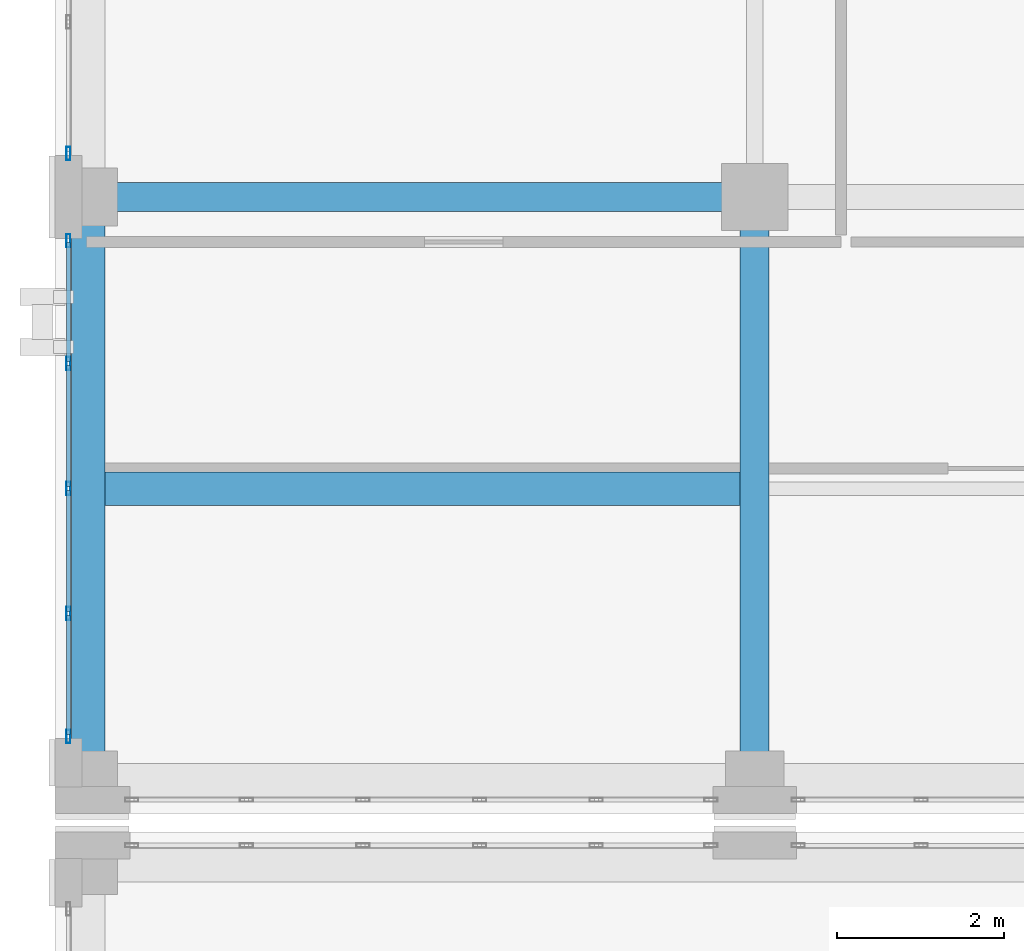
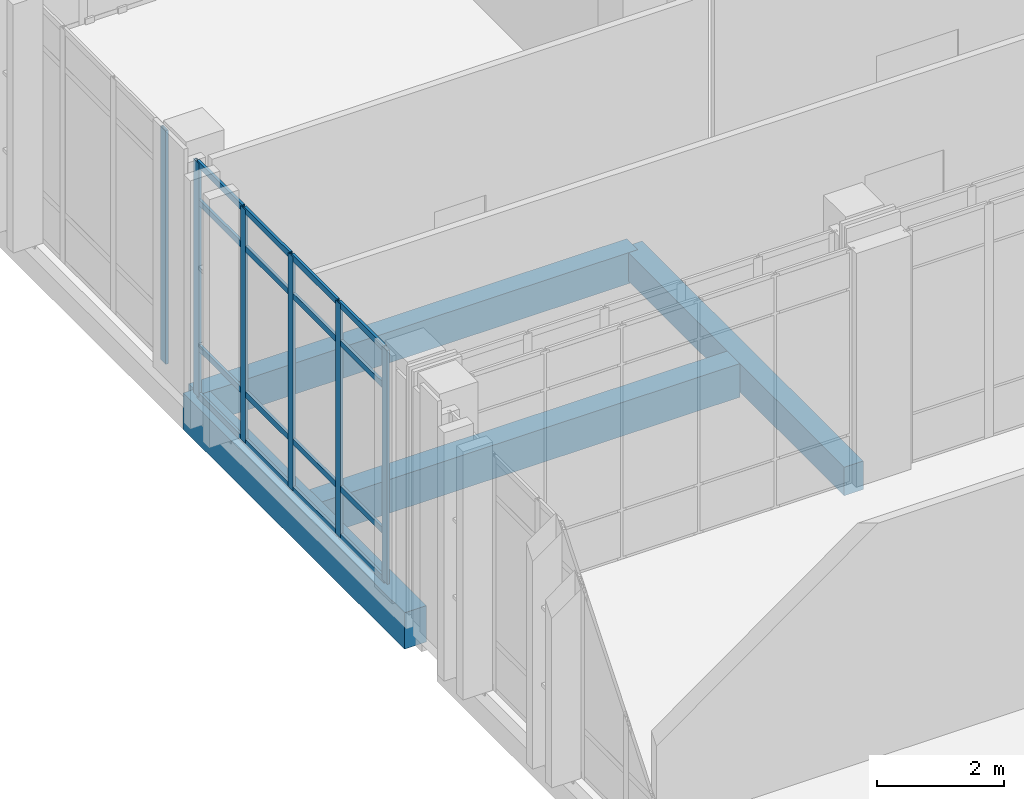
# One storey, part 86 of 189: 22 members, 4 beams, 2 elements without a shape of their own.
"""IFC4 building model written with IfcOpenShell, lengths in metres."""

from ifc_helpers import new_model, si_unit, direction, frame, origin, origin_2d, place, context, subcontext, project, spatial, rectangle, hollow_rectangle, extrude, material, layer, layer_set, material_profile, profile_set, type_object, element, aggregate, save


model = new_model("IFC4")

# Units and contexts
model_context = context("Model", 3, precision=1e-05, world=origin(), true_north=direction((0.0, 1.0)))
body_context = subcontext(model_context, "Body", "Model", "MODEL_VIEW")
ifc_project = project(units=[si_unit("LENGTHUNIT", "METRE"), si_unit("AREAUNIT", "SQUARE_METRE"), si_unit("VOLUMEUNIT", "CUBIC_METRE"), si_unit("PLANEANGLEUNIT", "RADIAN"), si_unit("MASSUNIT", "GRAM", prefix="KILO")], contexts=[model_context])

# Site, building, storey
site_placement = place(None, origin())
site = spatial("IfcSite", under=ifc_project, at=site_placement, CompositionType="ELEMENT")
building_placement = place(site_placement, origin())
building = spatial("IfcBuilding", under=site, at=building_placement, Name="Qalavern Law Courts", CompositionType="ELEMENT")
storey_placement = place(building_placement, frame((0.0, 0.0, 5.39990234375)))
storey = spatial("IfcBuildingStorey", under=building, at=storey_placement, Name="L01", CompositionType="ELEMENT", Elevation=5.39990234375)

# Curtain wall, member
ifc_material_1 = material(Name="Anodised aluminium and insulated glazing", Category="aluminium")
ifc_layer = layer(ifc_material_1, 0.166015625)
ifc_layer_set = layer_set([ifc_layer], Name="Anodised aluminium and insulated glazing")
curtain_wall_type = type_object("IfcCurtainWallType", Name="ENV-CW-LIB", PredefinedType="USERDEFINED", material=ifc_layer_set)
curtain_wall_1_placement = place(storey_placement, origin())
curtain_wall_1 = element("IfcCurtainWall", 1, at=curtain_wall_1_placement, inside=storey, type_object=curtain_wall_type, Name="V5 unitised curtain wall L01 west 1", ObjectType="UNITISED CURTAIN WALL", PredefinedType="USERDEFINED")
ifc_material_2 = material(Name="Anodised aluminium", Category="aluminium")
ifc_material_profile_1 = material_profile(ifc_material_2, hollow_rectangle(XDim=0.048095703125, YDim=0.159912109375, WallThickness=0.00390625, at=origin_2d()), Name="ALU MULLION 48x160")
ifc_profile_set_1 = profile_set([ifc_material_profile_1], Name="Anodised aluminium")
member_type_1 = type_object("IfcMemberType", Name="ENV-CWM-48x160", PredefinedType="MULLION", material=ifc_profile_set_1)
member_1_placement = place(storey_placement, frame((2.16259765625, 104.1240234375, 0.0), z_axis=(0.0, 0.0, 1.0), x_axis=(1.0, 0.0, 0.0)))
member_1 = element("IfcMember", 2, at=member_1_placement, type_object=member_type_1, Name="CW-05 mullion 6", PredefinedType="MULLION", context=body_context, shape_type="SweptSolid", body=[
    extrude(hollow_rectangle(XDim=0.048095703125, YDim=0.159912109375, WallThickness=0.00390625, at=origin_2d()), origin(), (0.0, 0.0, 1.0), 4.510009765625),
])
aggregate(curtain_wall_1, [member_1])

# Curtain wall, members
curtain_wall_2_placement = place(storey_placement, origin())
curtain_wall_2 = element("IfcCurtainWall", 3, at=curtain_wall_2_placement, inside=storey, type_object=curtain_wall_type, Name="V5 unitised curtain wall L01 west 2", ObjectType="UNITISED CURTAIN WALL", PredefinedType="USERDEFINED")
member_2_placement = place(storey_placement, frame((2.16259765625, 103.075927734375, 0.0), z_axis=(0.0, 0.0, 1.0), x_axis=(1.0, 0.0, 0.0)))
member_2 = element("IfcMember", 4, at=member_2_placement, type_object=member_type_1, Name="CW-05 mullion 1", PredefinedType="MULLION", context=body_context, shape_type="SweptSolid", body=[
    extrude(hollow_rectangle(XDim=0.048095703125, YDim=0.159912109375, WallThickness=0.00390625, at=origin_2d()), origin(), (0.0, 0.0, 1.0), 4.510009765625),
])
member_3_placement = place(storey_placement, frame((2.16259765625, 101.60009765625, 0.0), z_axis=(0.0, 0.0, 1.0), x_axis=(1.0, 0.0, 0.0)))
member_3 = element("IfcMember", 5, at=member_3_placement, type_object=member_type_1, Name="CW-05 mullion 2", PredefinedType="MULLION", context=body_context, shape_type="SweptSolid", body=[
    extrude(hollow_rectangle(XDim=0.048095703125, YDim=0.159912109375, WallThickness=0.00390625, at=origin_2d()), origin(), (0.0, 0.0, 1.0), 4.510009765625),
])
member_4_placement = place(storey_placement, frame((2.16259765625, 100.10009765625, 0.0), z_axis=(0.0, 0.0, 1.0), x_axis=(1.0, 0.0, 0.0)))
member_4 = element("IfcMember", 6, at=member_4_placement, type_object=member_type_1, Name="CW-05 mullion 3", PredefinedType="MULLION", context=body_context, shape_type="SweptSolid", body=[
    extrude(hollow_rectangle(XDim=0.048095703125, YDim=0.159912109375, WallThickness=0.00390625, at=origin_2d()), origin(), (0.0, 0.0, 1.0), 4.510009765625),
])
member_5_placement = place(storey_placement, frame((2.16259765625, 98.60009765625, 0.0), z_axis=(0.0, 0.0, 1.0), x_axis=(1.0, 0.0, 0.0)))
member_5 = element("IfcMember", 7, at=member_5_placement, type_object=member_type_1, Name="CW-05 mullion 4", PredefinedType="MULLION", context=body_context, shape_type="SweptSolid", body=[
    extrude(hollow_rectangle(XDim=0.048095703125, YDim=0.159912109375, WallThickness=0.00390625, at=origin_2d()), origin(), (0.0, 0.0, 1.0), 4.510009765625),
])
member_6_placement = place(storey_placement, frame((2.16259765625, 97.1240234375, 0.0), z_axis=(0.0, 0.0, 1.0), x_axis=(1.0, 0.0, 0.0)))
member_6 = element("IfcMember", 8, at=member_6_placement, type_object=member_type_1, Name="CW-05 mullion 5", PredefinedType="MULLION", context=body_context, shape_type="SweptSolid", body=[
    extrude(hollow_rectangle(XDim=0.048095703125, YDim=0.159912109375, WallThickness=0.00390625, at=origin_2d()), origin(), (0.0, 0.0, 1.0), 4.510009765625),
])
ifc_material_profile_2 = material_profile(ifc_material_2, hollow_rectangle(XDim=0.048095703125, YDim=0.1201171875, WallThickness=0.00390625, at=origin_2d()), Name="ALU TRANSOM 48x120")
ifc_profile_set_2 = profile_set([ifc_material_profile_2], Name="Anodised aluminium")
member_type_2 = type_object("IfcMemberType", Name="ENV-CWT-48x120", PredefinedType="USERDEFINED", material=ifc_profile_set_2)
member_7_placement = place(storey_placement, frame((2.16259765625, 103.052001953125, 0.024169921875), z_axis=(0.0, -1.0, 0.0), x_axis=(1.0, 0.0, 0.0)))
member_7 = element("IfcMember", 9, at=member_7_placement, type_object=member_type_2, Name="CW-05 transom 1.1", ObjectType="TRANSOM", PredefinedType="USERDEFINED", context=body_context, shape_type="SweptSolid", body=[
    extrude(hollow_rectangle(XDim=0.048095703125, YDim=0.1201171875, WallThickness=0.00390625, at=origin_2d()), origin(), (0.0, 0.0, 1.0), 1.427978515625),
])
member_8_placement = place(storey_placement, frame((2.16259765625, 103.052001953125, 0.9501953125), z_axis=(0.0, -1.0, 0.0), x_axis=(1.0, 0.0, 0.0)))
member_8 = element("IfcMember", 10, at=member_8_placement, type_object=member_type_2, Name="CW-05 transom 1.2", ObjectType="TRANSOM", PredefinedType="USERDEFINED", context=body_context, shape_type="SweptSolid", body=[
    extrude(hollow_rectangle(XDim=0.048095703125, YDim=0.1201171875, WallThickness=0.00390625, at=origin_2d()), origin(), (0.0, 0.0, 1.0), 1.427978515625),
])
member_9_placement = place(storey_placement, frame((2.16259765625, 103.052001953125, 3.760009765625), z_axis=(0.0, -1.0, 0.0), x_axis=(1.0, 0.0, 0.0)))
member_9 = element("IfcMember", 11, at=member_9_placement, type_object=member_type_2, Name="CW-05 transom 1.3", ObjectType="TRANSOM", PredefinedType="USERDEFINED", context=body_context, shape_type="SweptSolid", body=[
    extrude(hollow_rectangle(XDim=0.048095703125, YDim=0.1201171875, WallThickness=0.00390625, at=origin_2d()), origin(), (0.0, 0.0, 1.0), 1.427978515625),
])
member_10_placement = place(storey_placement, frame((2.16259765625, 103.052001953125, 4.486083984375), z_axis=(0.0, -1.0, 0.0), x_axis=(1.0, 0.0, 0.0)))
member_10 = element("IfcMember", 12, at=member_10_placement, type_object=member_type_2, Name="CW-05 transom 1.4", ObjectType="TRANSOM", PredefinedType="USERDEFINED", context=body_context, shape_type="SweptSolid", body=[
    extrude(hollow_rectangle(XDim=0.048095703125, YDim=0.1201171875, WallThickness=0.00390625, at=origin_2d()), origin(), (0.0, 0.0, 1.0), 1.427978515625),
])
member_11_placement = place(storey_placement, frame((2.16259765625, 101.575927734375, 0.024169921875), z_axis=(0.0, -1.0, 0.0), x_axis=(1.0, 0.0, 0.0)))
member_11 = element("IfcMember", 13, at=member_11_placement, type_object=member_type_2, Name="CW-05 transom 2.1", ObjectType="TRANSOM", PredefinedType="USERDEFINED", context=body_context, shape_type="SweptSolid", body=[
    extrude(hollow_rectangle(XDim=0.048095703125, YDim=0.1201171875, WallThickness=0.00390625, at=origin_2d()), origin(), (0.0, 0.0, 1.0), 1.451904296875),
])
member_12_placement = place(storey_placement, frame((2.16259765625, 101.575927734375, 0.9501953125), z_axis=(0.0, -1.0, 0.0), x_axis=(1.0, 0.0, 0.0)))
member_12 = element("IfcMember", 14, at=member_12_placement, type_object=member_type_2, Name="CW-05 transom 2.2", ObjectType="TRANSOM", PredefinedType="USERDEFINED", context=body_context, shape_type="SweptSolid", body=[
    extrude(hollow_rectangle(XDim=0.048095703125, YDim=0.1201171875, WallThickness=0.00390625, at=origin_2d()), origin(), (0.0, 0.0, 1.0), 1.451904296875),
])
member_13_placement = place(storey_placement, frame((2.16259765625, 101.575927734375, 3.760009765625), z_axis=(0.0, -1.0, 0.0), x_axis=(1.0, 0.0, 0.0)))
member_13 = element("IfcMember", 15, at=member_13_placement, type_object=member_type_2, Name="CW-05 transom 2.3", ObjectType="TRANSOM", PredefinedType="USERDEFINED", context=body_context, shape_type="SweptSolid", body=[
    extrude(hollow_rectangle(XDim=0.048095703125, YDim=0.1201171875, WallThickness=0.00390625, at=origin_2d()), origin(), (0.0, 0.0, 1.0), 1.451904296875),
])
member_14_placement = place(storey_placement, frame((2.16259765625, 101.575927734375, 4.486083984375), z_axis=(0.0, -1.0, 0.0), x_axis=(1.0, 0.0, 0.0)))
member_14 = element("IfcMember", 16, at=member_14_placement, type_object=member_type_2, Name="CW-05 transom 2.4", ObjectType="TRANSOM", PredefinedType="USERDEFINED", context=body_context, shape_type="SweptSolid", body=[
    extrude(hollow_rectangle(XDim=0.048095703125, YDim=0.1201171875, WallThickness=0.00390625, at=origin_2d()), origin(), (0.0, 0.0, 1.0), 1.451904296875),
])
member_15_placement = place(storey_placement, frame((2.16259765625, 100.075927734375, 0.024169921875), z_axis=(0.0, -1.0, 0.0), x_axis=(1.0, 0.0, 0.0)))
member_15 = element("IfcMember", 17, at=member_15_placement, type_object=member_type_2, Name="CW-05 transom 3.1", ObjectType="TRANSOM", PredefinedType="USERDEFINED", context=body_context, shape_type="SweptSolid", body=[
    extrude(hollow_rectangle(XDim=0.048095703125, YDim=0.1201171875, WallThickness=0.00390625, at=origin_2d()), origin(), (0.0, 0.0, 1.0), 1.451904296875),
])
member_16_placement = place(storey_placement, frame((2.16259765625, 100.075927734375, 0.9501953125), z_axis=(0.0, -1.0, 0.0), x_axis=(1.0, 0.0, 0.0)))
member_16 = element("IfcMember", 18, at=member_16_placement, type_object=member_type_2, Name="CW-05 transom 3.2", ObjectType="TRANSOM", PredefinedType="USERDEFINED", context=body_context, shape_type="SweptSolid", body=[
    extrude(hollow_rectangle(XDim=0.048095703125, YDim=0.1201171875, WallThickness=0.00390625, at=origin_2d()), origin(), (0.0, 0.0, 1.0), 1.451904296875),
])
member_17_placement = place(storey_placement, frame((2.16259765625, 100.075927734375, 3.760009765625), z_axis=(0.0, -1.0, 0.0), x_axis=(1.0, 0.0, 0.0)))
member_17 = element("IfcMember", 19, at=member_17_placement, type_object=member_type_2, Name="CW-05 transom 3.3", ObjectType="TRANSOM", PredefinedType="USERDEFINED", context=body_context, shape_type="SweptSolid", body=[
    extrude(hollow_rectangle(XDim=0.048095703125, YDim=0.1201171875, WallThickness=0.00390625, at=origin_2d()), origin(), (0.0, 0.0, 1.0), 1.451904296875),
])
member_18_placement = place(storey_placement, frame((2.16259765625, 100.075927734375, 4.486083984375), z_axis=(0.0, -1.0, 0.0), x_axis=(1.0, 0.0, 0.0)))
member_18 = element("IfcMember", 20, at=member_18_placement, type_object=member_type_2, Name="CW-05 transom 3.4", ObjectType="TRANSOM", PredefinedType="USERDEFINED", context=body_context, shape_type="SweptSolid", body=[
    extrude(hollow_rectangle(XDim=0.048095703125, YDim=0.1201171875, WallThickness=0.00390625, at=origin_2d()), origin(), (0.0, 0.0, 1.0), 1.451904296875),
])
member_19_placement = place(storey_placement, frame((2.16259765625, 98.575927734375, 0.024169921875), z_axis=(0.0, -1.0, 0.0), x_axis=(1.0, 0.0, 0.0)))
member_19 = element("IfcMember", 21, at=member_19_placement, type_object=member_type_2, Name="CW-05 transom 4.1", ObjectType="TRANSOM", PredefinedType="USERDEFINED", context=body_context, shape_type="SweptSolid", body=[
    extrude(hollow_rectangle(XDim=0.048095703125, YDim=0.1201171875, WallThickness=0.00390625, at=origin_2d()), origin(), (0.0, 0.0, 1.0), 1.427978515625),
])
member_20_placement = place(storey_placement, frame((2.16259765625, 98.575927734375, 0.9501953125), z_axis=(0.0, -1.0, 0.0), x_axis=(1.0, 0.0, 0.0)))
member_20 = element("IfcMember", 22, at=member_20_placement, type_object=member_type_2, Name="CW-05 transom 4.2", ObjectType="TRANSOM", PredefinedType="USERDEFINED", context=body_context, shape_type="SweptSolid", body=[
    extrude(hollow_rectangle(XDim=0.048095703125, YDim=0.1201171875, WallThickness=0.00390625, at=origin_2d()), origin(), (0.0, 0.0, 1.0), 1.427978515625),
])
member_21_placement = place(storey_placement, frame((2.16259765625, 98.575927734375, 3.760009765625), z_axis=(0.0, -1.0, 0.0), x_axis=(1.0, 0.0, 0.0)))
member_21 = element("IfcMember", 23, at=member_21_placement, type_object=member_type_2, Name="CW-05 transom 4.3", ObjectType="TRANSOM", PredefinedType="USERDEFINED", context=body_context, shape_type="SweptSolid", body=[
    extrude(hollow_rectangle(XDim=0.048095703125, YDim=0.1201171875, WallThickness=0.00390625, at=origin_2d()), origin(), (0.0, 0.0, 1.0), 1.427978515625),
])
member_22_placement = place(storey_placement, frame((2.16259765625, 98.575927734375, 4.486083984375), z_axis=(0.0, -1.0, 0.0), x_axis=(1.0, 0.0, 0.0)))
member_22 = element("IfcMember", 24, at=member_22_placement, type_object=member_type_2, Name="CW-05 transom 4.4", ObjectType="TRANSOM", PredefinedType="USERDEFINED", context=body_context, shape_type="SweptSolid", body=[
    extrude(hollow_rectangle(XDim=0.048095703125, YDim=0.1201171875, WallThickness=0.00390625, at=origin_2d()), origin(), (0.0, 0.0, 1.0), 1.427978515625),
])
aggregate(curtain_wall_2, [member_2, member_3, member_4, member_5, member_6, member_7, member_8, member_9, member_10, member_11, member_12, member_13, member_14, member_15, member_16, member_17, member_18, member_19, member_20, member_21, member_22])

# Beams
ifc_material_3 = material(Name="Concrete C35/45", Category="concrete")
ifc_material_profile_3 = material_profile(ifc_material_3, rectangle(XDim=0.35009765625, YDim=0.550048828125, at=origin_2d()), Name="RC 350x550")
ifc_profile_set_3 = profile_set([ifc_material_profile_3], Name="Concrete C35/45")
beam_type_1 = type_object("IfcBeamType", Name="STR-BM-RC350x550", PredefinedType="BEAM", material=ifc_profile_set_3)
beam_1_placement = place(storey_placement, frame((10.39990234375, 96.60009765625, -0.574951171875), z_axis=(0.0, 1.0, 0.0), x_axis=(-1.0, 0.0, 0.0)))
element("IfcBeam", 25, at=beam_1_placement, inside=storey, type_object=beam_type_1, Name="V5 Y-beam 2-1 L01", PredefinedType="BEAM", context=body_context, shape_type="SweptSolid", body=[
    extrude(rectangle(XDim=0.35009765625, YDim=0.550048828125, at=origin_2d()), origin(), (0.0, 0.0, 1.0), 7.0),
])
ifc_material_profile_4 = material_profile(ifc_material_3, rectangle(XDim=0.35009765625, YDim=0.60009765625, at=origin_2d()), Name="RC 350x600")
ifc_profile_set_4 = profile_set([ifc_material_profile_4], Name="Concrete C35/45")
beam_type_2 = type_object("IfcBeamType", Name="STR-BM-RC350x600", PredefinedType="BEAM", material=ifc_profile_set_4)
beam_2_placement = place(storey_placement, frame((2.39990234375, 103.60009765625, -0.599853515625), z_axis=(1.0, 0.0, 0.0), x_axis=(0.0, 1.0, 0.0)))
element("IfcBeam", 26, at=beam_2_placement, inside=storey, type_object=beam_type_2, Name="V5 X-beam 2-1 L01", PredefinedType="BEAM", context=body_context, shape_type="SweptSolid", body=[
    extrude(rectangle(XDim=0.35009765625, YDim=0.60009765625, at=origin_2d()), origin(), (0.0, 0.0, 1.0), 8.0),
])
ifc_material_profile_5 = material_profile(ifc_material_3, rectangle(XDim=0.39990234375, YDim=0.64990234375, at=origin_2d()), Name="RC 400x650")
ifc_profile_set_5 = profile_set([ifc_material_profile_5], Name="Concrete C35/45")
beam_type_3 = type_object("IfcBeamType", Name="STR-JST-RC400x650", PredefinedType="JOIST", material=ifc_profile_set_5)
beam_3_placement = place(storey_placement, frame((2.597900390625, 100.10009765625, -0.625), z_axis=(1.0, 0.0, 0.0), x_axis=(0.0, 1.0, 0.0)))
element("IfcBeam", 27, at=beam_3_placement, inside=storey, type_object=beam_type_3, Name="V5 secondary joist 1.1.1 L01", PredefinedType="JOIST", context=body_context, shape_type="SweptSolid", body=[
    extrude(rectangle(XDim=0.39990234375, YDim=0.64990234375, at=origin_2d()), origin(), (0.0, 0.0, 1.0), 7.629150390625),
])
ifc_material_4 = material(Name="Concrete C40/50", Category="concrete")
ifc_material_profile_6 = material_profile(ifc_material_4, rectangle(XDim=0.39990234375, YDim=0.699951171875, at=origin_2d()), Name="RC 400x700")
ifc_profile_set_6 = profile_set([ifc_material_profile_6], Name="Concrete C40/50")
beam_type_4 = type_object("IfcBeamType", Name="STR-SP-RC400x700", PredefinedType="SPANDREL", material=ifc_profile_set_6)
beam_4_placement = place(storey_placement, frame((2.39990234375, 96.60009765625, -0.64990234375), z_axis=(0.0, 1.0, 0.0), x_axis=(-1.0, 0.0, 0.0)))
element("IfcBeam", 28, at=beam_4_placement, inside=storey, type_object=beam_type_4, Name="V5 Y-beam 1-1 L01", PredefinedType="SPANDREL", context=body_context, shape_type="SweptSolid", body=[
    extrude(rectangle(XDim=0.39990234375, YDim=0.699951171875, at=origin_2d()), origin(), (0.0, 0.0, 1.0), 7.0),
])

save(model, "model.ifc")
